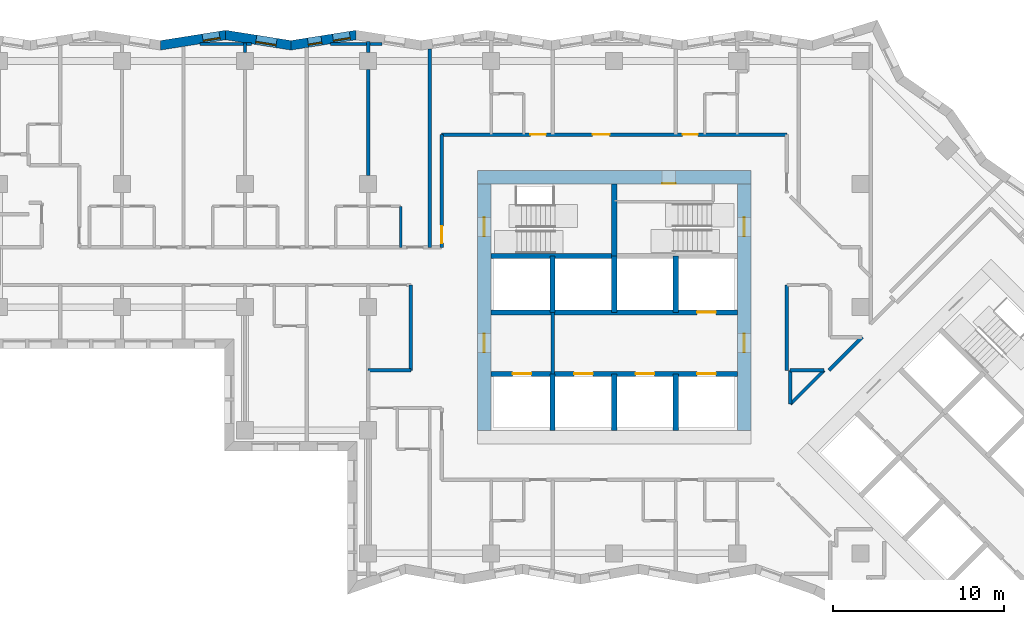
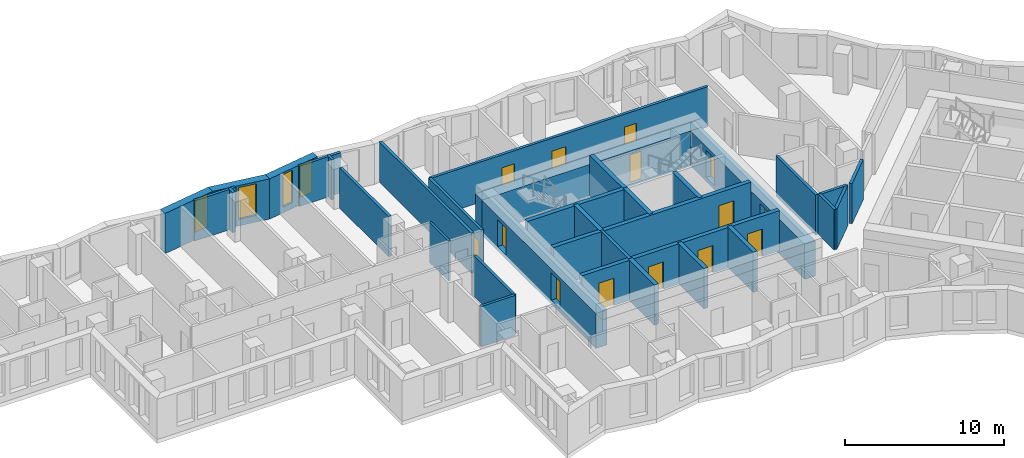
# One storey, part 6 of 13: 33 walls, 14 doors, 4 windows, 18 openings.
"""IFC4 building model written with IfcOpenShell, lengths in metres."""

from ifc_helpers import new_model, si_unit, direction, frame, frame_2d, origin, place, context, subcontext, project, spatial, polyline, rectangle, outline, extrude, material, layer, layer_set, type_object, element, fill, save


model = new_model("IFC4")

# Units and contexts
model_context = context("Model", 3, precision=1e-05, world=origin(), true_north=direction((0.0, 1.0)))
body_context = subcontext(model_context, "Body", "Model", "MODEL_VIEW")
ifc_project = project(units=[si_unit("LENGTHUNIT", "METRE"), si_unit("AREAUNIT", "SQUARE_METRE"), si_unit("VOLUMEUNIT", "CUBIC_METRE"), si_unit("PLANEANGLEUNIT", "RADIAN"), si_unit("MASSUNIT", "GRAM", prefix="KILO")], contexts=[model_context])

# Site, building, storey
site_placement = place(None, origin())
site = spatial("IfcSite", under=ifc_project, at=site_placement, CompositionType="ELEMENT")
building_placement = place(site_placement, origin())
building = spatial("IfcBuilding", under=site, at=building_placement, Name="Windrow Commons", CompositionType="ELEMENT")
storey_placement = place(building_placement, frame((0.0, 0.0, 115.2)))
storey = spatial("IfcBuildingStorey", under=building, at=storey_placement, Name="L31", CompositionType="ELEMENT", Elevation=115.2)

# Wall, openings, windows
ifc_material_1 = material(Name="Brick masonry, red clay brick", Category="masonry")
ifc_layer_1 = layer(ifc_material_1, 0.55)
ifc_layer_set_1 = layer_set([ifc_layer_1], Name="Brick facade wall 550")
wall_type_1 = type_object("IfcWallType", Name="Brick facade wall 550", PredefinedType="SOLIDWALL", material=ifc_layer_set_1)
wall_1_placement = place(storey_placement, frame((49.6962, 73.5246, 0.0), z_axis=(0.0, 0.0, 1.0), x_axis=(-0.9877213372, -0.1562259905, 0.0)))
wall_1 = element("IfcWall", 1, at=wall_1_placement, inside=storey, type_object=wall_type_1, Name="Brick facade wall L31 29", PredefinedType="SOLIDWALL", context=body_context, shape_type="SweptSolid", body=[
    extrude(outline(polyline([(-0.0435, -0.275), (3.8163, -0.275), (3.9033, 0.275), (0.0435, 0.275), (-0.0435, -0.275)])), origin(), (0.0, 0.0, 1.0), 3.1),
])
opening_1_placement = place(wall_1_placement, frame((0.36, 0.0, 0.45)))
opening_1 = element("IfcOpeningElement", 2, at=opening_1_placement, cuts=wall_1, Name="Opening W1S", PredefinedType="OPENING", context=body_context, shape_type="SweptSolid", body=[
    extrude(rectangle(XDim=1.0, YDim=2.5, at=frame_2d((0.5, 1.25))), frame((0.0, 0.285, 0.0), z_axis=(0.0, -1.0, 0.0), x_axis=(1.0, 0.0, 0.0)), (0.0, 0.0, 1.0), 0.57),
])
opening_2_placement = place(wall_1_placement, frame((2.0399, 0.0, 0.45)))
opening_2 = element("IfcOpeningElement", 3, at=opening_2_placement, cuts=wall_1, Name="Opening W1N", PredefinedType="OPENING", context=body_context, shape_type="SweptSolid", body=[
    extrude(rectangle(XDim=0.8, YDim=2.5, at=frame_2d((0.4, 1.25))), frame((0.0, 0.285, 0.0), z_axis=(0.0, -1.0, 0.0), x_axis=(1.0, 0.0, 0.0)), (0.0, 0.0, 1.0), 0.57),
])
ifc_material_2 = material(Name="Clear float glass in anodised aluminium frame", Category="aluminium")
window_type_1 = type_object("IfcWindowType", Name="Window W1N slit 800x2500", PartitioningType="SINGLE_PANEL", PredefinedType="WINDOW", material=ifc_material_2)
window_1_placement = place(opening_2_placement, origin())
window_1 = element("IfcWindow", 4, at=window_1_placement, inside=storey, type_object=window_type_1, Name="Window L31 29.1B", OverallHeight=2.5, OverallWidth=0.8, PartitioningType="SINGLE_PANEL", PredefinedType="WINDOW", context=body_context, shape_type="SweptSolid", body=[
    extrude(rectangle(XDim=0.8, YDim=2.5, at=frame_2d((0.4, 1.25))), frame((0.0, 0.155, 0.0), z_axis=(0.0, -1.0, 0.0), x_axis=(1.0, 0.0, 0.0)), (0.0, 0.0, 1.0), 0.06),
])
fill(opening_2, window_1)
ifc_material_3 = material(Name="Clear float glass in anodised aluminium frame", Category="aluminium")
window_type_2 = type_object("IfcWindowType", Name="Window W1S slit 1000x2500", PartitioningType="SINGLE_PANEL", PredefinedType="WINDOW", material=ifc_material_3)
window_2_placement = place(opening_1_placement, origin())
window_2 = element("IfcWindow", 5, at=window_2_placement, inside=storey, type_object=window_type_2, Name="Window L31 29.1A", OverallHeight=2.5, OverallWidth=1.0, PartitioningType="SINGLE_PANEL", PredefinedType="WINDOW", context=body_context, shape_type="SweptSolid", body=[
    extrude(rectangle(XDim=1.0, YDim=2.5, at=frame_2d((0.5, 1.25))), frame((0.0, 0.155, 0.0), z_axis=(0.0, -1.0, 0.0), x_axis=(1.0, 0.0, 0.0)), (0.0, 0.0, 1.0), 0.06),
])
fill(opening_1, window_2)

# Wall, opening, window
wall_2_placement = place(storey_placement, frame((45.8838, 72.9216, 0.0), z_axis=(0.0, 0.0, 1.0), x_axis=(-0.9877213372, 0.1562259905, 0.0)))
wall_2 = element("IfcWall", 6, at=wall_2_placement, inside=storey, type_object=wall_type_1, Name="Brick facade wall L31 30", PredefinedType="SOLIDWALL", context=body_context, shape_type="SweptSolid", body=[
    extrude(outline(polyline([(0.0435, -0.275), (3.9033, -0.275), (3.8163, 0.275), (-0.0435, 0.275), (0.0435, -0.275)])), origin(), (0.0, 0.0, 1.0), 3.1),
])
opening_3_placement = place(wall_2_placement, frame((0.8586, 0.0, 0.5)))
opening_3 = element("IfcOpeningElement", 7, at=opening_3_placement, cuts=wall_2, Name="Opening W7D", PredefinedType="OPENING", context=body_context, shape_type="SweptSolid", body=[
    extrude(rectangle(XDim=1.2, YDim=2.45, at=frame_2d((0.6, 1.225))), frame((0.0, 0.285, 0.0), z_axis=(0.0, -1.0, 0.0), x_axis=(1.0, 0.0, 0.0)), (0.0, 0.0, 1.0), 0.57),
])
ifc_material_4 = material(Name="Clear float glass in anodised aluminium frame", Category="aluminium")
window_type_3 = type_object("IfcWindowType", Name="Window W7 notch 1200x2450", PartitioningType="SINGLE_PANEL", PredefinedType="WINDOW", material=ifc_material_4)
window_3_placement = place(opening_3_placement, origin())
window_3 = element("IfcWindow", 8, at=window_3_placement, inside=storey, type_object=window_type_3, Name="Window L31 30.1", OverallHeight=2.45, OverallWidth=1.2, PartitioningType="SINGLE_PANEL", PredefinedType="WINDOW", context=body_context, shape_type="SweptSolid", body=[
    extrude(rectangle(XDim=1.2, YDim=2.45, at=frame_2d((0.6, 1.225))), frame((0.0, 0.155, 0.0), z_axis=(0.0, -1.0, 0.0), x_axis=(1.0, 0.0, 0.0)), (0.0, 0.0, 1.0), 0.06),
])
fill(opening_3, window_3)

wall_3_placement = place(storey_placement, frame((42.0714, 73.5246, 0.0), z_axis=(0.0, 0.0, 1.0), x_axis=(-0.9877213372, -0.1562259905, 0.0)))
wall_3 = element("IfcWall", 9, at=wall_3_placement, inside=storey, type_object=wall_type_1, Name="Brick facade wall L31 31", PredefinedType="SOLIDWALL", context=body_context, shape_type="SweptSolid", body=[
    extrude(outline(polyline([(-0.0435, -0.275), (3.8163, -0.275), (3.9033, 0.275), (0.0435, 0.275), (-0.0435, -0.275)])), origin(), (0.0, 0.0, 1.0), 3.1),
])
opening_4_placement = place(wall_3_placement, frame((0.36, 0.0, 0.45)))
opening_4 = element("IfcOpeningElement", 10, at=opening_4_placement, cuts=wall_3, Name="Opening W1S", PredefinedType="OPENING", context=body_context, shape_type="SweptSolid", body=[
    extrude(rectangle(XDim=1.0, YDim=2.5, at=frame_2d((0.5, 1.25))), frame((0.0, 0.285, 0.0), z_axis=(0.0, -1.0, 0.0), x_axis=(1.0, 0.0, 0.0)), (0.0, 0.0, 1.0), 0.57),
])
window_4_placement = place(opening_4_placement, origin())
window_4 = element("IfcWindow", 11, at=window_4_placement, inside=storey, type_object=window_type_2, Name="Window L31 31.1A", OverallHeight=2.5, OverallWidth=1.0, PartitioningType="SINGLE_PANEL", PredefinedType="WINDOW", context=body_context, shape_type="SweptSolid", body=[
    extrude(rectangle(XDim=1.0, YDim=2.5, at=frame_2d((0.5, 1.25))), frame((0.0, 0.155, 0.0), z_axis=(0.0, -1.0, 0.0), x_axis=(1.0, 0.0, 0.0)), (0.0, 0.0, 1.0), 0.06),
])
fill(opening_4, window_4)

# Wall
ifc_material_5 = material(Name="Blockwork partition", Category="masonry")
ifc_layer_2 = layer(ifc_material_5, 0.2)
ifc_layer_set_2 = layer_set([ifc_layer_2], Name="Fire lobby partition 200")
wall_type_2 = type_object("IfcWallType", Name="Fire lobby partition 200", PredefinedType="PARTITIONING", material=ifc_layer_set_2)
wall_4_placement = place(storey_placement, frame((61.2, 53.7, 0.0), z_axis=(0.0, 0.0, 1.0), x_axis=(0.0, 1.0, 0.0)))
element("IfcWall", 12, at=wall_4_placement, inside=storey, type_object=wall_type_2, Name="W-core-lobby-A-L31", PredefinedType="PARTITIONING", context=body_context, shape_type="SweptSolid", body=[
    extrude(rectangle(XDim=3.6, YDim=0.2, at=frame_2d((1.8, 0.0))), origin(), (0.0, 0.0, 1.0), 3.1),
])

# Wall, openings, doors
ifc_material_6 = material(Name="Blockwork partition", Category="masonry")
ifc_layer_3 = layer(ifc_material_6, 0.2)
ifc_layer_set_3 = layer_set([ifc_layer_3], Name="IW-CORRIDOR-200")
wall_type_3 = type_object("IfcWallType", Name="IW-CORRIDOR-200", PredefinedType="PARTITIONING", material=ifc_layer_set_3)
wall_5_placement = place(storey_placement, frame((54.7, 67.7, 0.0), z_axis=(0.0, 0.0, 1.0), x_axis=(1.0, 0.0, 0.0)))
wall_5 = element("IfcWall", 13, at=wall_5_placement, inside=storey, type_object=wall_type_3, Name="W-L31-W002", PredefinedType="PARTITIONING", context=body_context, shape_type="SweptSolid", body=[
    extrude(rectangle(XDim=20.2, YDim=0.2, at=frame_2d((10.1, 0.0))), origin(), (0.0, 0.0, 1.0), 3.1),
])
opening_5_placement = place(wall_5_placement, frame((5.2, 0.0, 0.0)))
opening_5 = element("IfcOpeningElement", 14, at=opening_5_placement, cuts=wall_5, Name="Opening D109S", PredefinedType="OPENING", context=body_context, shape_type="SweptSolid", body=[
    extrude(rectangle(XDim=0.9, YDim=2.1, at=frame_2d((0.45, 1.05))), frame((0.0, 0.11, 0.0), z_axis=(0.0, -1.0, 0.0), x_axis=(1.0, 0.0, 0.0)), (0.0, 0.0, 1.0), 0.22),
])
opening_6_placement = place(wall_5_placement, frame((8.8375, 0.0, 0.0)))
opening_6 = element("IfcOpeningElement", 15, at=opening_6_placement, cuts=wall_5, Name="Opening D310F", PredefinedType="OPENING", context=body_context, shape_type="SweptSolid", body=[
    extrude(rectangle(XDim=1.0, YDim=2.1, at=frame_2d((0.5, 1.05))), frame((0.0, 0.11, 0.0), z_axis=(0.0, -1.0, 0.0), x_axis=(1.0, 0.0, 0.0)), (0.0, 0.0, 1.0), 0.22),
])
opening_7_placement = place(wall_5_placement, frame((14.1, 0.0, 0.0)))
opening_7 = element("IfcOpeningElement", 16, at=opening_7_placement, cuts=wall_5, Name="Opening D109S", PredefinedType="OPENING", context=body_context, shape_type="SweptSolid", body=[
    extrude(rectangle(XDim=0.9, YDim=2.1, at=frame_2d((0.45, 1.05))), frame((0.0, 0.11, 0.0), z_axis=(0.0, -1.0, 0.0), x_axis=(1.0, 0.0, 0.0)), (0.0, 0.0, 1.0), 0.22),
])
ifc_material_7 = material(Name="Timber door leaf", Category="wood")
door_type_1 = type_object("IfcDoorType", Name="DT-AMENITY-1000", OperationType="SINGLE_SWING_LEFT", PredefinedType="DOOR", material=ifc_material_7)
door_1_placement = place(opening_6_placement, origin())
door_1 = element("IfcDoor", 17, at=door_1_placement, inside=storey, type_object=door_type_1, Name="D-L31-D040", OperationType="SINGLE_SWING_LEFT", OverallHeight=2.1, OverallWidth=1.0, PredefinedType="DOOR", context=body_context, shape_type="SweptSolid", body=[
    extrude(rectangle(XDim=1.0, YDim=2.1, at=frame_2d((0.5, 1.05))), frame((0.0, 0.025, 0.0), z_axis=(0.0, -1.0, 0.0), x_axis=(1.0, 0.0, 0.0)), (0.0, 0.0, 1.0), 0.05),
])
fill(opening_6, door_1)
ifc_material_8 = material(Name="Timber door leaf", Category="wood")
door_type_2 = type_object("IfcDoorType", Name="DT-BEDROOM-900", OperationType="SINGLE_SWING_LEFT", PredefinedType="DOOR", material=ifc_material_8)
door_2_placement = place(opening_5_placement, origin())
door_2 = element("IfcDoor", 18, at=door_2_placement, inside=storey, type_object=door_type_2, Name="D-L31-D038", OperationType="SINGLE_SWING_RIGHT", OverallHeight=2.1, OverallWidth=0.9, PredefinedType="DOOR", context=body_context, shape_type="SweptSolid", body=[
    extrude(rectangle(XDim=0.9, YDim=2.1, at=frame_2d((0.45, 1.05))), frame((0.0, 0.025, 0.0), z_axis=(0.0, -1.0, 0.0), x_axis=(1.0, 0.0, 0.0)), (0.0, 0.0, 1.0), 0.05),
])
fill(opening_5, door_2)
door_3_placement = place(opening_7_placement, origin())
door_3 = element("IfcDoor", 19, at=door_3_placement, inside=storey, type_object=door_type_2, Name="D-L31-D041", OperationType="SINGLE_SWING_LEFT", OverallHeight=2.1, OverallWidth=0.9, PredefinedType="DOOR", context=body_context, shape_type="SweptSolid", body=[
    extrude(rectangle(XDim=0.9, YDim=2.1, at=frame_2d((0.45, 1.05))), frame((0.0, 0.025, 0.0), z_axis=(0.0, -1.0, 0.0), x_axis=(1.0, 0.0, 0.0)), (0.0, 0.0, 1.0), 0.05),
])
fill(opening_7, door_3)

# Wall, opening, door
wall_6_placement = place(storey_placement, frame((54.7, 61.102, 0.0), z_axis=(0.0, 0.0, 1.0), x_axis=(0.0, 1.0, 0.0)))
wall_6 = element("IfcWall", 20, at=wall_6_placement, inside=storey, type_object=wall_type_3, Name="W-L31-W025", PredefinedType="PARTITIONING", context=body_context, shape_type="SweptSolid", body=[
    extrude(rectangle(XDim=6.598, YDim=0.2, at=frame_2d((3.299, 0.0))), origin(), (0.0, 0.0, 1.0), 3.1),
])
opening_8_placement = place(wall_6_placement, frame((0.24, 0.0, 0.0)))
opening_8 = element("IfcOpeningElement", 21, at=opening_8_placement, cuts=wall_6, Name="Opening D310F", PredefinedType="OPENING", context=body_context, shape_type="SweptSolid", body=[
    extrude(rectangle(XDim=1.0, YDim=2.1, at=frame_2d((0.5, 1.05))), frame((0.0, 0.11, 0.0), z_axis=(0.0, -1.0, 0.0), x_axis=(1.0, 0.0, 0.0)), (0.0, 0.0, 1.0), 0.22),
])
door_4_placement = place(opening_8_placement, origin())
door_4 = element("IfcDoor", 22, at=door_4_placement, inside=storey, type_object=door_type_1, Name="D-L31-D037", OperationType="SINGLE_SWING_LEFT", OverallHeight=2.1, OverallWidth=1.0, PredefinedType="DOOR", context=body_context, shape_type="SweptSolid", body=[
    extrude(rectangle(XDim=1.0, YDim=2.1, at=frame_2d((0.5, 1.05))), frame((0.0, 0.025, 0.0), z_axis=(0.0, -1.0, 0.0), x_axis=(1.0, 0.0, 0.0)), (0.0, 0.0, 1.0), 0.05),
])
fill(opening_8, door_4)

# Walls
for number, where, z_axis, x_axis, name in (
    (23, (52.9, 53.9, 0.0), (0.0, 0.0, 1.0), (0.0, 1.0, 0.0), "W-L31-W040"),
    (24, (74.9, 53.9, 0.0), (0.0, 0.0, 1.0), (0.0, 1.0, 0.0), "W-L31-W041"),
):
    element("IfcWall", number, at=place(storey_placement, frame(where, z_axis=z_axis, x_axis=x_axis)), inside=storey, type_object=wall_type_3, Name=name, PredefinedType="PARTITIONING", context=body_context, shape_type="SweptSolid", body=[
        extrude(rectangle(XDim=5.0, YDim=0.2, at=frame_2d((2.5, 0.0))), origin(), (0.0, 0.0, 1.0), 3.1),
    ])
wall_7_placement = place(storey_placement, frame((75.1015, 51.9225, 0.0), z_axis=(0.0, 0.0, 1.0), x_axis=(0.7071067812, 0.7071067812, 0.0)))
element("IfcWall", 25, at=wall_7_placement, inside=storey, type_object=wall_type_3, Name="W-L31-W074", PredefinedType="PARTITIONING", context=body_context, shape_type="SweptSolid", body=[
    extrude(rectangle(XDim=2.7973, YDim=0.2, at=frame_2d((1.3986, 0.0))), origin(), (0.0, 0.0, 1.0), 3.1),
])
wall_8_placement = place(storey_placement, frame((77.3629, 53.9011, 0.0), z_axis=(0.0, 0.0, 1.0), x_axis=(0.7071067812, 0.7071067812, 0.0)))
element("IfcWall", 26, at=wall_8_placement, inside=storey, type_object=wall_type_3, Name="W-L31-W077", PredefinedType="PARTITIONING", context=body_context, shape_type="SweptSolid", body=[
    extrude(rectangle(XDim=2.7549, YDim=0.2, at=frame_2d((1.3775, 0.0))), origin(), (0.0, 0.0, 1.0), 3.1),
])
wall_9_placement = place(storey_placement, frame((50.4, 53.9, 0.0), z_axis=(0.0, 0.0, 1.0), x_axis=(1.0, 0.0, 0.0)))
element("IfcWall", 27, at=wall_9_placement, inside=storey, type_object=wall_type_3, Name="W-L31-W081", PredefinedType="PARTITIONING", context=body_context, shape_type="SweptSolid", body=[
    extrude(rectangle(XDim=2.5, YDim=0.2, at=frame_2d((1.25, 0.0))), origin(), (0.0, 0.0, 1.0), 3.1),
])
wall_10_placement = place(storey_placement, frame((75.1, 51.922, 0.0), z_axis=(0.0, 0.0, 1.0), x_axis=(0.0, 1.0, 0.0)))
element("IfcWall", 28, at=wall_10_placement, inside=storey, type_object=wall_type_3, Name="W-L31-W136", PredefinedType="PARTITIONING", context=body_context, shape_type="SweptSolid", body=[
    extrude(rectangle(XDim=1.978, YDim=0.2, at=frame_2d((0.989, 0.0))), origin(), (0.0, 0.0, 1.0), 3.1),
])
ifc_material_9 = material(Name="Blockwork partition", Category="masonry")
ifc_layer_4 = layer(ifc_material_9, 0.15)
ifc_layer_set_4 = layer_set([ifc_layer_4], Name="IW-ENSUITE-150")
wall_type_4 = type_object("IfcWallType", Name="IW-ENSUITE-150", PredefinedType="PARTITIONING", material=ifc_layer_set_4)
wall_11_placement = place(storey_placement, frame((52.3, 61.1, 0.0), z_axis=(0.0, 0.0, 1.0), x_axis=(0.0, 1.0, 0.0)))
element("IfcWall", 29, at=wall_11_placement, inside=storey, type_object=wall_type_4, Name="W-L31-W098", PredefinedType="PARTITIONING", context=body_context, shape_type="SweptSolid", body=[
    extrude(rectangle(XDim=2.4, YDim=0.15, at=frame_2d((1.2, 0.0))), origin(), (0.0, 0.0, 1.0), 3.1),
])
ifc_material_10 = material(Name="Blockwork partition", Category="masonry")
ifc_layer_5 = layer(ifc_material_10, 0.2)
ifc_layer_set_5 = layer_set([ifc_layer_5], Name="IW-PARTY-200")
wall_type_5 = type_object("IfcWallType", Name="IW-PARTY-200", PredefinedType="PARTITIONING", material=ifc_layer_set_5)
wall_12_placement = place(storey_placement, frame((54.0, 61.1, 0.0), z_axis=(0.0, 0.0, 1.0), x_axis=(0.0, 1.0, 0.0)))
element("IfcWall", 30, at=wall_12_placement, inside=storey, type_object=wall_type_5, Name="W-L31-W008", PredefinedType="PARTITIONING", context=body_context, shape_type="SweptSolid", body=[
    extrude(rectangle(XDim=11.6209, YDim=0.2, at=frame_2d((5.8105, 0.0))), origin(), (0.0, 0.0, 1.0), 3.1),
])
wall_13_placement = place(storey_placement, frame((50.4, 65.3, 0.0), z_axis=(0.0, 0.0, 1.0), x_axis=(0.0, 1.0, 0.0)))
element("IfcWall", 31, at=wall_13_placement, inside=storey, type_object=wall_type_5, Name="W-L31-W030", PredefinedType="PARTITIONING", context=body_context, shape_type="SweptSolid", body=[
    extrude(rectangle(XDim=6.2, YDim=0.2, at=frame_2d((3.1, 0.0))), origin(), (0.0, 0.0, 1.0), 3.1),
])
for number, where, z_axis, x_axis, name in (
    (32, (40.5651, 73.0, 0.0), (0.0, 0.0, 1.0), (1.0, 0.0, 0.0), "W-L31-W065"),
    (33, (48.1899, 73.0, 0.0), (0.0, 0.0, 1.0), (1.0, 0.0, 0.0), "W-L31-W066"),
):
    element("IfcWall", number, at=place(storey_placement, frame(where, z_axis=z_axis, x_axis=x_axis)), inside=storey, type_object=wall_type_5, Name=name, PredefinedType="PARTITIONING", context=body_context, shape_type="SweptSolid", body=[
        extrude(rectangle(XDim=3.0126, YDim=0.2, at=frame_2d((1.5063, 0.0))), origin(), (0.0, 0.0, 1.0), 3.1),
    ])
wall_14_placement = place(storey_placement, frame((75.1, 53.9, 0.0), z_axis=(0.0, 0.0, 1.0), x_axis=(1.0, 0.0, 0.0)))
element("IfcWall", 34, at=wall_14_placement, inside=storey, type_object=wall_type_5, Name="W-L31-W135", PredefinedType="PARTITIONING", context=body_context, shape_type="SweptSolid", body=[
    extrude(rectangle(XDim=1.98, YDim=0.2, at=frame_2d((0.99, 0.0))), origin(), (0.0, 0.0, 1.0), 3.1),
])
wall_15_placement = place(storey_placement, frame((50.4, 72.5, 0.0), z_axis=(0.0, 0.0, 1.0), x_axis=(0.0, 1.0, 0.0)))
element("IfcWall", 35, at=wall_15_placement, inside=storey, type_object=wall_type_5, Name="W-L31-W197", PredefinedType="PARTITIONING", context=body_context, shape_type="SweptSolid", body=[
    extrude(rectangle(XDim=0.6348, YDim=0.2, at=frame_2d((0.3174, 0.0))), origin(), (0.0, 0.0, 1.0), 3.1),
])
wall_16_placement = place(storey_placement, frame((43.2, 72.5, 0.0), z_axis=(0.0, 0.0, 1.0), x_axis=(0.0, 1.0, 0.0)))
element("IfcWall", 36, at=wall_16_placement, inside=storey, type_object=wall_type_5, Name="W-L31-W199", PredefinedType="PARTITIONING", context=body_context, shape_type="SweptSolid", body=[
    extrude(rectangle(XDim=0.5677, YDim=0.2, at=frame_2d((0.2838, 0.0))), origin(), (0.0, 0.0, 1.0), 3.1),
])

# Wall, opening, door
ifc_material_11 = material(Name="Concrete C50/60", Category="concrete")
ifc_layer_6 = layer(ifc_material_11, 0.8)
ifc_layer_set_6 = layer_set([ifc_layer_6], Name="RC CORE WALL 800 C50/60")
wall_type_6 = type_object("IfcWallType", Name="RC CORE WALL 800 C50/60", PredefinedType="SHEAR", material=ifc_layer_set_6)
wall_17_placement = place(storey_placement, frame((56.8, 65.2, -0.3), z_axis=(0.0, 0.0, 1.0), x_axis=(1.0, 0.0, 0.0)))
wall_17 = element("IfcWall", 37, at=wall_17_placement, inside=storey, type_object=wall_type_6, Name="Core A wall outer-N", PredefinedType="SHEAR", context=body_context, shape_type="SweptSolid", body=[
    extrude(rectangle(XDim=16.0, YDim=0.8, at=frame_2d((8.0, 0.0))), origin(), (0.0, 0.0, 1.0), 2.7),
])
opening_9_placement = place(wall_17_placement, frame((10.8, 0.0, 0.3)))
opening_9 = element("IfcOpeningElement", 38, at=opening_9_placement, cuts=wall_17, Name="Opening D9", PredefinedType="OPENING", context=body_context, shape_type="SweptSolid", body=[
    extrude(rectangle(XDim=0.8, YDim=2.1, at=frame_2d((0.4, 1.05))), frame((0.0, 0.41, 0.0), z_axis=(0.0, -1.0, 0.0), x_axis=(1.0, 0.0, 0.0)), (0.0, 0.0, 1.0), 0.82),
])
ifc_material_12 = material(Name="Steel fire door leaf", Category="steel")
door_type_3 = type_object("IfcDoorType", Name="Riser access door 800", OperationType="SINGLE_SWING_LEFT", PredefinedType="DOOR", material=ifc_material_12)
door_5_placement = place(opening_9_placement, origin())
door_5 = element("IfcDoor", 39, at=door_5_placement, inside=storey, type_object=door_type_3, Name="Riser access door", OperationType="SINGLE_SWING_RIGHT", OverallHeight=2.1, OverallWidth=0.8, PredefinedType="DOOR", context=body_context, shape_type="SweptSolid", body=[
    extrude(rectangle(XDim=0.8, YDim=2.1, at=frame_2d((0.4, 1.05))), frame((0.0, -0.34, 0.0), z_axis=(0.0, -1.0, 0.0), x_axis=(1.0, 0.0, 0.0)), (0.0, 0.0, 1.0), 0.05),
])
fill(opening_9, door_5)

# Wall, openings, doors
wall_18_placement = place(storey_placement, frame((57.2, 50.4, -0.3), z_axis=(0.0, 0.0, 1.0), x_axis=(0.0, 1.0, 0.0)))
wall_18 = element("IfcWall", 40, at=wall_18_placement, inside=storey, type_object=wall_type_6, Name="Core A wall outer-W", PredefinedType="SHEAR", context=body_context, shape_type="SweptSolid", body=[
    extrude(rectangle(XDim=14.4, YDim=0.8, at=frame_2d((7.2, 0.0))), origin(), (0.0, 0.0, 1.0), 2.7),
])
opening_10_placement = place(wall_18_placement, frame((4.55, 0.0, 0.3)))
opening_10 = element("IfcOpeningElement", 41, at=opening_10_placement, cuts=wall_18, Name="Opening D6", PredefinedType="OPENING", context=body_context, shape_type="SweptSolid", body=[
    extrude(rectangle(XDim=1.1, YDim=2.1, at=frame_2d((0.55, 1.05))), frame((0.0, 0.41, 0.0), z_axis=(0.0, -1.0, 0.0), x_axis=(1.0, 0.0, 0.0)), (0.0, 0.0, 1.0), 0.82),
])
opening_11_placement = place(wall_18_placement, frame((11.35, 0.0, 0.3)))
opening_11 = element("IfcOpeningElement", 42, at=opening_11_placement, cuts=wall_18, Name="Opening D7", PredefinedType="OPENING", context=body_context, shape_type="SweptSolid", body=[
    extrude(rectangle(XDim=1.1, YDim=2.1, at=frame_2d((0.55, 1.05))), frame((0.0, 0.41, 0.0), z_axis=(0.0, -1.0, 0.0), x_axis=(1.0, 0.0, 0.0)), (0.0, 0.0, 1.0), 0.82),
])
ifc_material_13 = material(Name="Steel fire door leaf", Category="steel")
door_type_4 = type_object("IfcDoorType", Name="Core lobby door 1100", OperationType="SINGLE_SWING_LEFT", PredefinedType="DOOR", material=ifc_material_13)
door_6_placement = place(opening_10_placement, origin())
door_6 = element("IfcDoor", 43, at=door_6_placement, inside=storey, type_object=door_type_4, Name="Lift lobby door", OperationType="DOUBLE_DOOR_SINGLE_SWING", OverallHeight=2.1, OverallWidth=1.1, PredefinedType="DOOR", context=body_context, shape_type="SweptSolid", body=[
    extrude(rectangle(XDim=1.1, YDim=2.1, at=frame_2d((0.55, 1.05))), frame((0.0, 0.025, 0.0), z_axis=(0.0, -1.0, 0.0), x_axis=(1.0, 0.0, 0.0)), (0.0, 0.0, 1.0), 0.05),
])
fill(opening_10, door_6)
ifc_material_14 = material(Name="Steel fire door leaf", Category="steel")
door_type_5 = type_object("IfcDoorType", Name="Stair door 1100", OperationType="SINGLE_SWING_LEFT", PredefinedType="DOOR", material=ifc_material_14)
door_7_placement = place(opening_11_placement, origin())
door_7 = element("IfcDoor", 44, at=door_7_placement, inside=storey, type_object=door_type_5, Name="Stair door", OperationType="SINGLE_SWING_LEFT", OverallHeight=2.1, OverallWidth=1.1, PredefinedType="DOOR", context=body_context, shape_type="SweptSolid", body=[
    extrude(rectangle(XDim=1.1, YDim=2.1, at=frame_2d((0.55, 1.05))), frame((0.0, 0.025, 0.0), z_axis=(0.0, -1.0, 0.0), x_axis=(1.0, 0.0, 0.0)), (0.0, 0.0, 1.0), 0.05),
])
fill(opening_11, door_7)

wall_19_placement = place(storey_placement, frame((72.4, 50.4, -0.3), z_axis=(0.0, 0.0, 1.0), x_axis=(0.0, 1.0, 0.0)))
wall_19 = element("IfcWall", 45, at=wall_19_placement, inside=storey, type_object=wall_type_6, Name="Core A wall outer-E", PredefinedType="SHEAR", context=body_context, shape_type="SweptSolid", body=[
    extrude(rectangle(XDim=14.4, YDim=0.8, at=frame_2d((7.2, 0.0))), origin(), (0.0, 0.0, 1.0), 2.7),
])
opening_12_placement = place(wall_19_placement, frame((4.55, 0.0, 0.3)))
opening_12 = element("IfcOpeningElement", 46, at=opening_12_placement, cuts=wall_19, Name="Opening D6", PredefinedType="OPENING", context=body_context, shape_type="SweptSolid", body=[
    extrude(rectangle(XDim=1.1, YDim=2.1, at=frame_2d((0.55, 1.05))), frame((0.0, 0.41, 0.0), z_axis=(0.0, -1.0, 0.0), x_axis=(1.0, 0.0, 0.0)), (0.0, 0.0, 1.0), 0.82),
])
opening_13_placement = place(wall_19_placement, frame((11.35, 0.0, 0.3)))
opening_13 = element("IfcOpeningElement", 47, at=opening_13_placement, cuts=wall_19, Name="Opening D7", PredefinedType="OPENING", context=body_context, shape_type="SweptSolid", body=[
    extrude(rectangle(XDim=1.1, YDim=2.1, at=frame_2d((0.55, 1.05))), frame((0.0, 0.41, 0.0), z_axis=(0.0, -1.0, 0.0), x_axis=(1.0, 0.0, 0.0)), (0.0, 0.0, 1.0), 0.82),
])
door_8_placement = place(opening_12_placement, origin())
door_8 = element("IfcDoor", 48, at=door_8_placement, inside=storey, type_object=door_type_4, Name="Lift lobby door", OperationType="DOUBLE_DOOR_SINGLE_SWING", OverallHeight=2.1, OverallWidth=1.1, PredefinedType="DOOR", context=body_context, shape_type="SweptSolid", body=[
    extrude(rectangle(XDim=1.1, YDim=2.1, at=frame_2d((0.55, 1.05))), frame((0.0, 0.025, 0.0), z_axis=(0.0, -1.0, 0.0), x_axis=(1.0, 0.0, 0.0)), (0.0, 0.0, 1.0), 0.05),
])
fill(opening_12, door_8)
door_9_placement = place(opening_13_placement, origin())
door_9 = element("IfcDoor", 49, at=door_9_placement, inside=storey, type_object=door_type_5, Name="Stair door", OperationType="SINGLE_SWING_RIGHT", OverallHeight=2.1, OverallWidth=1.1, PredefinedType="DOOR", context=body_context, shape_type="SweptSolid", body=[
    extrude(rectangle(XDim=1.1, YDim=2.1, at=frame_2d((0.55, 1.05))), frame((0.0, 0.025, 0.0), z_axis=(0.0, -1.0, 0.0), x_axis=(1.0, 0.0, 0.0)), (0.0, 0.0, 1.0), 0.05),
])
fill(opening_13, door_9)

# Walls
ifc_material_15 = material(Name="Concrete C50/60", Category="concrete")
ifc_layer_7 = layer(ifc_material_15, 0.3)
ifc_layer_set_7 = layer_set([ifc_layer_7], Name="RC SHAFT WALL 300 C50/60")
wall_type_7 = type_object("IfcWallType", Name="RC SHAFT WALL 300 C50/60", PredefinedType="SOLIDWALL", material=ifc_layer_set_7)
for number, where, z_axis, x_axis, name in (
    (50, (61.2, 50.4, 0.0), (0.0, 0.0, 1.0), (0.0, 1.0, 0.0), "Core A wall shaft-S1"),
    (51, (61.2, 57.3, 0.0), (0.0, 0.0, 1.0), (0.0, 1.0, 0.0), "Core A wall shaft-N1"),
    (52, (64.8, 50.4, 0.0), (0.0, 0.0, 1.0), (0.0, 1.0, 0.0), "Core A wall shaft-S2"),
    (53, (64.8, 57.3, 0.0), (0.0, 0.0, 1.0), (0.0, 1.0, 0.0), "Core A wall shaft-N2"),
    (54, (68.4, 50.4, 0.0), (0.0, 0.0, 1.0), (0.0, 1.0, 0.0), "Core A wall shaft-S3"),
    (55, (68.4, 57.3, 0.0), (0.0, 0.0, 1.0), (0.0, 1.0, 0.0), "Core A wall shaft-N3"),
):
    element("IfcWall", number, at=place(storey_placement, frame(where, z_axis=z_axis, x_axis=x_axis)), inside=storey, type_object=wall_type_7, Name=name, PredefinedType="SOLIDWALL", context=body_context, shape_type="SweptSolid", body=[
        extrude(rectangle(XDim=3.3, YDim=0.3, at=frame_2d((1.65, 0.0))), origin(), (0.0, 0.0, 1.0), 3.1),
    ])

# Wall, openings, doors
wall_20_placement = place(storey_placement, frame((57.6, 53.7, 0.0), z_axis=(0.0, 0.0, 1.0), x_axis=(1.0, 0.0, 0.0)))
wall_20 = element("IfcWall", 56, at=wall_20_placement, inside=storey, type_object=wall_type_7, Name="Core A wall lobby-S", PredefinedType="SOLIDWALL", context=body_context, shape_type="SweptSolid", body=[
    extrude(rectangle(XDim=14.4, YDim=0.3, at=frame_2d((7.2, 0.0))), origin(), (0.0, 0.0, 1.0), 3.1),
])
opening_14_placement = place(wall_20_placement, frame((1.25, 0.0, 0.0)))
opening_14 = element("IfcOpeningElement", 57, at=opening_14_placement, cuts=wall_20, Name="Opening LD", PredefinedType="OPENING", context=body_context, shape_type="SweptSolid", body=[
    extrude(rectangle(XDim=1.1, YDim=2.1, at=frame_2d((0.55, 1.05))), frame((0.0, 0.16, 0.0), z_axis=(0.0, -1.0, 0.0), x_axis=(1.0, 0.0, 0.0)), (0.0, 0.0, 1.0), 0.32),
])
opening_15_placement = place(wall_20_placement, frame((4.85, 0.0, 0.0)))
opening_15 = element("IfcOpeningElement", 58, at=opening_15_placement, cuts=wall_20, Name="Opening LD", PredefinedType="OPENING", context=body_context, shape_type="SweptSolid", body=[
    extrude(rectangle(XDim=1.1, YDim=2.1, at=frame_2d((0.55, 1.05))), frame((0.0, 0.16, 0.0), z_axis=(0.0, -1.0, 0.0), x_axis=(1.0, 0.0, 0.0)), (0.0, 0.0, 1.0), 0.32),
])
opening_16_placement = place(wall_20_placement, frame((8.45, 0.0, 0.0)))
opening_16 = element("IfcOpeningElement", 59, at=opening_16_placement, cuts=wall_20, Name="Opening LD", PredefinedType="OPENING", context=body_context, shape_type="SweptSolid", body=[
    extrude(rectangle(XDim=1.1, YDim=2.1, at=frame_2d((0.55, 1.05))), frame((0.0, 0.16, 0.0), z_axis=(0.0, -1.0, 0.0), x_axis=(1.0, 0.0, 0.0)), (0.0, 0.0, 1.0), 0.32),
])
opening_17_placement = place(wall_20_placement, frame((12.05, 0.0, 0.0)))
opening_17 = element("IfcOpeningElement", 60, at=opening_17_placement, cuts=wall_20, Name="Opening LD", PredefinedType="OPENING", context=body_context, shape_type="SweptSolid", body=[
    extrude(rectangle(XDim=1.1, YDim=2.1, at=frame_2d((0.55, 1.05))), frame((0.0, 0.16, 0.0), z_axis=(0.0, -1.0, 0.0), x_axis=(1.0, 0.0, 0.0)), (0.0, 0.0, 1.0), 0.32),
])
ifc_material_16 = material(Name="Stainless steel door leaf", Category="steel")
door_type_6 = type_object("IfcDoorType", Name="Lift landing door 1100", OperationType="SLIDING_TO_LEFT", PredefinedType="DOOR", material=ifc_material_16)
door_10_placement = place(opening_14_placement, origin())
door_10 = element("IfcDoor", 61, at=door_10_placement, inside=storey, type_object=door_type_6, Name="Lift landing door", OperationType="SLIDING_TO_LEFT", OverallHeight=2.1, OverallWidth=1.1, PredefinedType="DOOR", context=body_context, shape_type="SweptSolid", body=[
    extrude(rectangle(XDim=1.1, YDim=2.1, at=frame_2d((0.55, 1.05))), frame((0.0, 0.025, 0.0), z_axis=(0.0, -1.0, 0.0), x_axis=(1.0, 0.0, 0.0)), (0.0, 0.0, 1.0), 0.05),
])
fill(opening_14, door_10)
door_11_placement = place(opening_15_placement, origin())
door_11 = element("IfcDoor", 62, at=door_11_placement, inside=storey, type_object=door_type_6, Name="Lift landing door", OperationType="SLIDING_TO_RIGHT", OverallHeight=2.1, OverallWidth=1.1, PredefinedType="DOOR", context=body_context, shape_type="SweptSolid", body=[
    extrude(rectangle(XDim=1.1, YDim=2.1, at=frame_2d((0.55, 1.05))), frame((0.0, 0.025, 0.0), z_axis=(0.0, -1.0, 0.0), x_axis=(1.0, 0.0, 0.0)), (0.0, 0.0, 1.0), 0.05),
])
fill(opening_15, door_11)
door_12_placement = place(opening_16_placement, origin())
door_12 = element("IfcDoor", 63, at=door_12_placement, inside=storey, type_object=door_type_6, Name="Lift landing door", OperationType="SLIDING_TO_LEFT", OverallHeight=2.1, OverallWidth=1.1, PredefinedType="DOOR", context=body_context, shape_type="SweptSolid", body=[
    extrude(rectangle(XDim=1.1, YDim=2.1, at=frame_2d((0.55, 1.05))), frame((0.0, 0.025, 0.0), z_axis=(0.0, -1.0, 0.0), x_axis=(1.0, 0.0, 0.0)), (0.0, 0.0, 1.0), 0.05),
])
fill(opening_16, door_12)
door_13_placement = place(opening_17_placement, origin())
door_13 = element("IfcDoor", 64, at=door_13_placement, inside=storey, type_object=door_type_6, Name="Lift landing door", OperationType="SLIDING_TO_RIGHT", OverallHeight=2.1, OverallWidth=1.1, PredefinedType="DOOR", context=body_context, shape_type="SweptSolid", body=[
    extrude(rectangle(XDim=1.1, YDim=2.1, at=frame_2d((0.55, 1.05))), frame((0.0, 0.025, 0.0), z_axis=(0.0, -1.0, 0.0), x_axis=(1.0, 0.0, 0.0)), (0.0, 0.0, 1.0), 0.05),
])
fill(opening_17, door_13)

# Wall, opening, door
wall_21_placement = place(storey_placement, frame((57.6, 57.3, 0.0), z_axis=(0.0, 0.0, 1.0), x_axis=(1.0, 0.0, 0.0)))
wall_21 = element("IfcWall", 65, at=wall_21_placement, inside=storey, type_object=wall_type_7, Name="Core A wall lobby-N", PredefinedType="SOLIDWALL", context=body_context, shape_type="SweptSolid", body=[
    extrude(rectangle(XDim=14.4, YDim=0.3, at=frame_2d((7.2, 0.0))), origin(), (0.0, 0.0, 1.0), 3.1),
])
opening_18_placement = place(wall_21_placement, frame((12.05, 0.0, 0.0)))
opening_18 = element("IfcOpeningElement", 66, at=opening_18_placement, cuts=wall_21, Name="Opening LD", PredefinedType="OPENING", context=body_context, shape_type="SweptSolid", body=[
    extrude(rectangle(XDim=1.1, YDim=2.1, at=frame_2d((0.55, 1.05))), frame((0.0, 0.16, 0.0), z_axis=(0.0, -1.0, 0.0), x_axis=(1.0, 0.0, 0.0)), (0.0, 0.0, 1.0), 0.32),
])
door_14_placement = place(opening_18_placement, origin())
door_14 = element("IfcDoor", 67, at=door_14_placement, inside=storey, type_object=door_type_6, Name="Lift landing door", OperationType="SLIDING_TO_RIGHT", OverallHeight=2.1, OverallWidth=1.1, PredefinedType="DOOR", context=body_context, shape_type="SweptSolid", body=[
    extrude(rectangle(XDim=1.1, YDim=2.1, at=frame_2d((0.55, 1.05))), frame((0.0, 0.025, 0.0), z_axis=(0.0, -1.0, 0.0), x_axis=(1.0, 0.0, 0.0)), (0.0, 0.0, 1.0), 0.05),
])
fill(opening_18, door_14)

# Walls
wall_22_placement = place(storey_placement, frame((57.6, 60.6, 0.0), z_axis=(0.0, 0.0, 1.0), x_axis=(1.0, 0.0, 0.0)))
element("IfcWall", 68, at=wall_22_placement, inside=storey, type_object=wall_type_7, Name="Core A wall stair-S", PredefinedType="SOLIDWALL", context=body_context, shape_type="SweptSolid", body=[
    extrude(rectangle(XDim=7.2, YDim=0.3, at=frame_2d((3.6, 0.0))), origin(), (0.0, 0.0, 1.0), 3.1),
])
wall_23_placement = place(storey_placement, frame((64.8, 60.6, 0.0), z_axis=(0.0, 0.0, 1.0), x_axis=(0.0, 1.0, 0.0)))
element("IfcWall", 69, at=wall_23_placement, inside=storey, type_object=wall_type_7, Name="Core A wall stair-mid", PredefinedType="SOLIDWALL", context=body_context, shape_type="SweptSolid", body=[
    extrude(rectangle(XDim=4.2, YDim=0.3, at=frame_2d((2.1, 0.0))), origin(), (0.0, 0.0, 1.0), 3.1),
])

save(model, "model.ifc")
